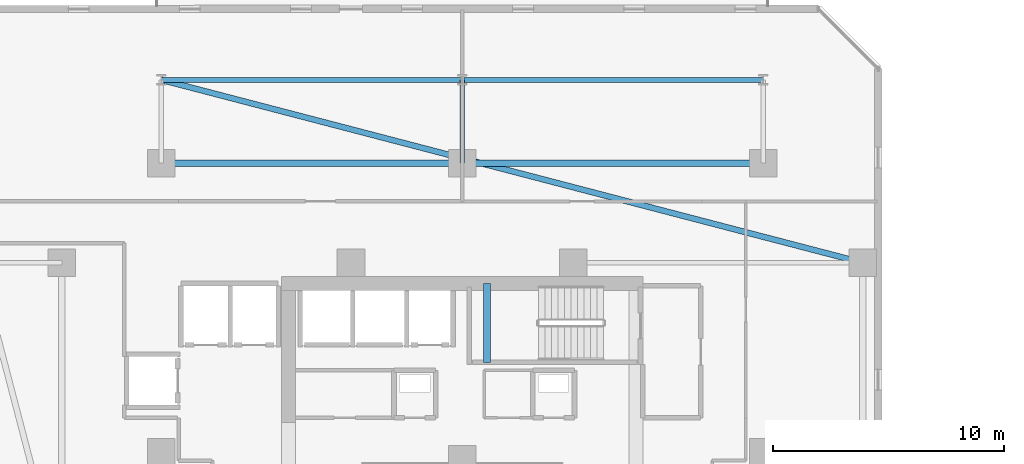
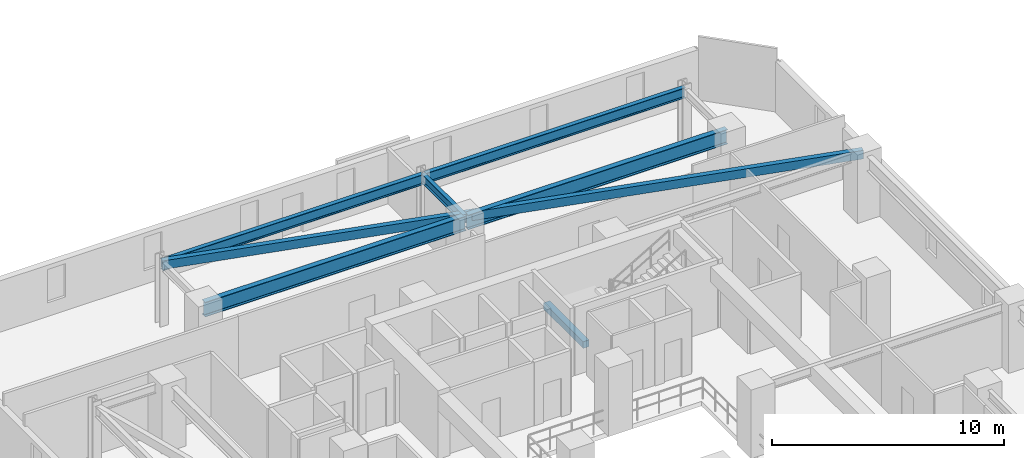
# One storey, part 8 of 33: 7 beams.
"""IFC4 building model written with IfcOpenShell, lengths in metres."""

from ifc_helpers import new_model, si_unit, direction, frame, origin, origin_2d, place, context, subcontext, project, spatial, rectangle, hollow_rectangle, i_section, extrude, material, material_profile, profile_set, type_object, element, save


model = new_model("IFC4")

# Units and contexts
model_context = context("Model", 3, precision=1e-05, world=origin(), true_north=direction((0.0, 1.0)))
body_context = subcontext(model_context, "Body", "Model", "MODEL_VIEW")
ifc_project = project(units=[si_unit("LENGTHUNIT", "METRE"), si_unit("AREAUNIT", "SQUARE_METRE"), si_unit("VOLUMEUNIT", "CUBIC_METRE"), si_unit("PLANEANGLEUNIT", "RADIAN"), si_unit("MASSUNIT", "GRAM", prefix="KILO")], contexts=[model_context])

# Site, building, storey
site_placement = place(None, origin())
site = spatial("IfcSite", under=ifc_project, at=site_placement, CompositionType="ELEMENT")
building_placement = place(site_placement, origin())
building = spatial("IfcBuilding", under=site, at=building_placement, Name="Thornwick Lancets Civic Towers", CompositionType="ELEMENT")
storey_placement = place(building_placement, frame((0.0, 0.0, 105.300048828125)))
storey = spatial("IfcBuildingStorey", under=building, at=storey_placement, Name="L27", CompositionType="ELEMENT", Elevation=105.300048828125)

# Beams
ifc_material_1 = material(Name="Steel S355JR", Category="steel")
ifc_material_profile_1 = material_profile(ifc_material_1, i_section(OverallWidth=0.2119140625, OverallDepth=0.54443359375, WebThickness=0.0126953125, FlangeThickness=0.021240234375, FilletRadius=0.0126953125, at=origin_2d()), Name="UKB 533x210x122")
ifc_profile_set_1 = profile_set([ifc_material_profile_1], Name="Steel S355JR")
beam_type_1 = type_object("IfcBeamType", Name="BM_EDGE_533_122", PredefinedType="SPANDREL", material=ifc_profile_set_1)
beam_1_placement = place(storey_placement, frame((12.5, 47.89990234375, 3.087646484375), z_axis=(1.0, 0.0, 0.0), x_axis=(0.0, 1.0, 0.0)))
element("IfcBeam", 1, at=beam_1_placement, inside=storey, type_object=beam_type_1, Name="BM-EDGE-L27-A-S2-1", PredefinedType="SPANDREL", context=body_context, shape_type="SweptSolid", body=[
    extrude(i_section(OverallWidth=0.2119140625, OverallDepth=0.54443359375, WebThickness=0.0126953125, FlangeThickness=0.021240234375, FilletRadius=0.0126953125, at=origin_2d()), origin(), (0.0, 0.0, 1.0), 13.0),
])
beam_2_placement = place(storey_placement, frame((25.580078125, 47.89990234375, 3.087646484375), z_axis=(1.0, 0.0, 0.0), x_axis=(0.0, 1.0, 0.0)))
element("IfcBeam", 2, at=beam_2_placement, inside=storey, type_object=beam_type_1, Name="BM-EDGE-L27-A-S2-2", PredefinedType="SPANDREL", context=body_context, shape_type="SweptSolid", body=[
    extrude(i_section(OverallWidth=0.2119140625, OverallDepth=0.54443359375, WebThickness=0.0126953125, FlangeThickness=0.021240234375, FilletRadius=0.0126953125, at=origin_2d()), origin(), (0.0, 0.0, 1.0), 12.919921875),
])
ifc_material_profile_2 = material_profile(ifc_material_1, i_section(OverallWidth=0.26806640625, OverallDepth=0.769775390625, WebThickness=0.015625, FlangeThickness=0.025390625, FilletRadius=0.0166015625, at=origin_2d()), Name="UKB 762x267x197")
ifc_profile_set_2 = profile_set([ifc_material_profile_2], Name="Steel S355JR")
beam_type_2 = type_object("IfcBeamType", Name="BM_GIRD_762_197", PredefinedType="BEAM", material=ifc_profile_set_2)
beam_3_placement = place(storey_placement, frame((12.5, 44.300048828125, 2.97509765625), z_axis=(1.0, 0.0, 0.0), x_axis=(0.0, 1.0, 0.0)))
element("IfcBeam", 3, at=beam_3_placement, inside=storey, type_object=beam_type_2, Name="BM-SPINE-L27-A-6-7", PredefinedType="BEAM", context=body_context, shape_type="SweptSolid", body=[
    extrude(i_section(OverallWidth=0.26806640625, OverallDepth=0.769775390625, WebThickness=0.015625, FlangeThickness=0.025390625, FilletRadius=0.0166015625, at=origin_2d()), origin(), (0.0, 0.0, 1.0), 13.0),
])
beam_4_placement = place(storey_placement, frame((25.580078125, 44.300048828125, 2.97509765625), z_axis=(1.0, 0.0, 0.0), x_axis=(0.0, 1.0, 0.0)))
element("IfcBeam", 4, at=beam_4_placement, inside=storey, type_object=beam_type_2, Name="BM-SPINE-L27-A-7-8", PredefinedType="BEAM", context=body_context, shape_type="SweptSolid", body=[
    extrude(i_section(OverallWidth=0.26806640625, OverallDepth=0.769775390625, WebThickness=0.015625, FlangeThickness=0.025390625, FilletRadius=0.0166015625, at=origin_2d()), origin(), (0.0, 0.0, 1.0), 12.919921875),
])
ifc_material_profile_3 = material_profile(ifc_material_1, i_section(OverallWidth=0.19287109375, OverallDepth=0.46728515625, WebThickness=0.011474609375, FlangeThickness=0.01953125, FilletRadius=0.01025390625, at=origin_2d()), Name="UKB 457x191x98")
ifc_profile_set_3 = profile_set([ifc_material_profile_3], Name="Steel S355JR")
beam_type_3 = type_object("IfcBeamType", Name="BM_JOIST_457_98", PredefinedType="JOIST", material=ifc_profile_set_3)
beam_5_placement = place(storey_placement, frame((25.5, 44.300048828125, 3.12646484375), z_axis=(0.0, 1.0, 0.0), x_axis=(-1.0, 0.0, 0.0)))
element("IfcBeam", 5, at=beam_5_placement, inside=storey, type_object=beam_type_3, Name="BM-RAD-L27-A08", PredefinedType="JOIST", context=body_context, shape_type="SweptSolid", body=[
    extrude(i_section(OverallWidth=0.19287109375, OverallDepth=0.46728515625, WebThickness=0.011474609375, FlangeThickness=0.01953125, FilletRadius=0.01025390625, at=origin_2d()), origin(), (0.0, 0.0, 1.0), 3.599853515625),
])
ifc_material_profile_4 = material_profile(ifc_material_1, hollow_rectangle(XDim=0.25, YDim=0.449951171875, WallThickness=0.01611328125, at=origin_2d()), Name="RHS 450x250x16")
ifc_profile_set_4 = profile_set([ifc_material_profile_4], Name="Steel S355JR")
beam_type_4 = type_object("IfcBeamType", Name="BM_RING_RHS450", PredefinedType="BEAM", material=ifc_profile_set_4)
beam_6_placement = place(storey_placement, frame((42.800048828125, 40.0, 3.135009765625), z_axis=(-0.967652038286, 0.252288590311, 0.0), x_axis=(-0.252288590311, -0.967652038286, 0.0)))
element("IfcBeam", 6, at=beam_6_placement, inside=storey, type_object=beam_type_4, Name="BM-CHAMF-L27-A-C1", PredefinedType="BEAM", context=body_context, shape_type="SweptSolid", body=[
    extrude(hollow_rectangle(XDim=0.25, YDim=0.449951171875, WallThickness=0.01611328125, at=origin_2d()), origin(), (0.0, 0.0, 1.0), 31.31298828125),
])
ifc_material_2 = material(Name="Concrete C40/50", Category="concrete")
ifc_material_profile_5 = material_profile(ifc_material_2, rectangle(XDim=0.300048828125, YDim=0.35009765625, at=origin_2d()), Name="RC 300x350")
ifc_profile_set_5 = profile_set([ifc_material_profile_5], Name="Concrete C40/50")
beam_type_5 = type_object("IfcBeamType", Name="BM_STAIR_LDG", PredefinedType="BEAM", material=ifc_profile_set_5)
beam_7_placement = place(storey_placement, frame((26.56494140625, 39.10009765625, 1.3779296875), z_axis=(0.0, -1.0, 0.0), x_axis=(1.0, 0.0, 0.0)))
element("IfcBeam", 7, at=beam_7_placement, inside=storey, type_object=beam_type_5, Name="L27 ST-A2 Landing Support Beam 1", PredefinedType="BEAM", context=body_context, shape_type="SweptSolid", body=[
    extrude(rectangle(XDim=0.300048828125, YDim=0.35009765625, at=origin_2d()), origin(), (0.0, 0.0, 1.0), 3.400146484375),
])

save(model, "model.ifc")
